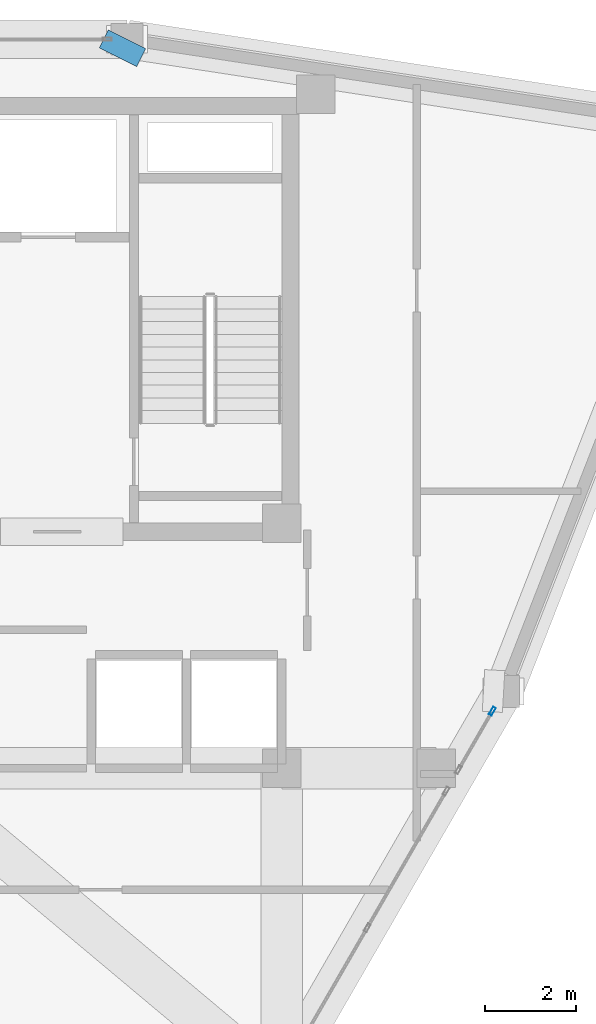
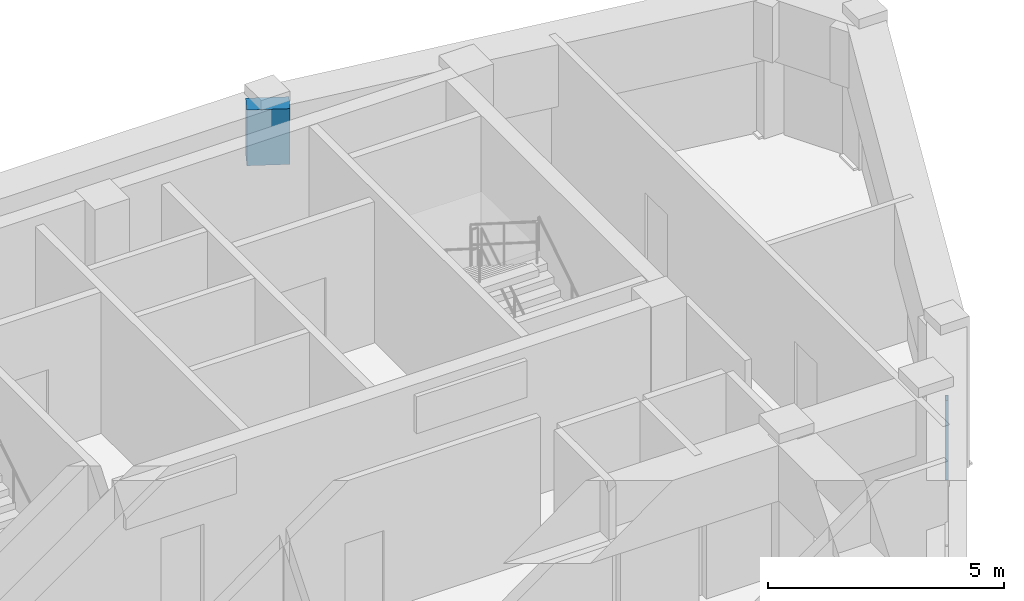
# One storey, part 7 of 13: 1 beam, 1 member, 1 element without a shape of its own.
"""IFC4 building model written with IfcOpenShell, lengths in metres."""

import ifcopenshell
import ifcopenshell.guid

model = None  # the IFC model being written
_history = None  # IfcOwnerHistory: only IFC2X3 demands one
_inside = {}  # id of a spatial element -> (the spatial element, [elements in it])
_under = {}  # id of a project, library or spatial element -> (it, [spatial elements below it])
_declared = {}  # id of a project -> (the project, [libraries it declares])
_typed = {}  # id of a type object -> (the type object, [elements of that type])
_made_of = {}  # id of a material, layer set ... -> (it, [elements and type objects made of it])


def new_model(schema):
    """Start an empty IFC model of exactly this schema.

    Asked for "IFC4X3", IfcOpenShell would pick the latest addendum, in which some entities
    have other attributes; the version numbers below select the first issue.
    IFC2X3 requires an IfcOwnerHistory on every rooted entity: one is made here for all.
    """
    global model, _history
    if schema == "IFC4X3":
        model = ifcopenshell.file(schema_version=(4, 3, 0, 0))
    else:
        model = ifcopenshell.file(schema=schema)
    _inside.clear()
    _under.clear()
    _declared.clear()
    _typed.clear()
    _made_of.clear()
    _history = None
    if model.schema == "IFC2X3":
        org = make("IfcOrganization", Name="unknown")
        user = make(
            "IfcPersonAndOrganization",
            ThePerson=make("IfcPerson", FamilyName="unknown"),
            TheOrganization=org,
        )
        app = make(
            "IfcApplication",
            ApplicationDeveloper=org,
            Version="unknown",
            ApplicationFullName="unknown",
            ApplicationIdentifier="unknown",
        )
        _history = make(
            "IfcOwnerHistory",
            OwningUser=user,
            OwningApplication=app,
            ChangeAction="ADDED",
            CreationDate=0,
        )
    return model


def make(cls, **values):
    """One entity of the class cls with the attributes given. An attribute that is None is left unset."""
    return model.create_entity(
        cls, **{name: value for name, value in values.items() if value is not None}
    )


def rooted(cls, **values):
    """An entity with a GlobalId (a new one), such as an element, a storey or a relation."""
    return make(cls, GlobalId=ifcopenshell.guid.new(), OwnerHistory=_history, **values)


def si_unit(unit_type, name, prefix=None):
    """IfcSIUnit, for example si_unit("LENGTHUNIT", "METRE", prefix="MILLI")."""
    return make("IfcSIUnit", UnitType=unit_type, Prefix=prefix, Name=name)


def derived_unit(unit_type, elements):
    """IfcDerivedUnit: a product of units, each with its exponent."""
    return make(
        "IfcDerivedUnit",
        Elements=[
            make("IfcDerivedUnitElement", Unit=unit, Exponent=power)
            for unit, power in elements
        ],
        UnitType=unit_type,
    )


def assignment(units):
    """IfcUnitAssignment: the units of a project."""
    return None if units is None else make("IfcUnitAssignment", Units=units)


def point(xyz):
    """IfcCartesianPoint."""
    return None if xyz is None else make("IfcCartesianPoint", Coordinates=xyz)


def direction(xyz):
    """IfcDirection."""
    return None if xyz is None else make("IfcDirection", DirectionRatios=xyz)


def frame(location, z_axis=None, x_axis=None):
    """IfcAxis2Placement3D, a coordinate frame: its origin and axes. An axis left out is left unset."""
    return make(
        "IfcAxis2Placement3D",
        Location=point(location),
        Axis=direction(z_axis),
        RefDirection=direction(x_axis),
    )


def frame_2d(location, x_axis=None):
    """IfcAxis2Placement2D, a coordinate frame in the plane: its origin and x axis."""
    return make(
        "IfcAxis2Placement2D", Location=point(location), RefDirection=direction(x_axis)
    )


def origin():
    """The frame at (0, 0, 0) with its axes left unset."""
    return frame((0.0, 0.0, 0.0))


def origin_2d():
    """The frame at (0, 0) in the plane with its x axis left unset."""
    return frame_2d((0.0, 0.0))


def place(relative_to, where):
    """IfcLocalPlacement: puts the frame where relative to a parent placement (None: the world)."""
    return make(
        "IfcLocalPlacement", PlacementRelTo=relative_to, RelativePlacement=where
    )


def context(
    kind, dimensions, precision=None, world=None, true_north=None, identifier=None
):
    """IfcGeometricRepresentationContext, for example the 3D "Model" context."""
    return make(
        "IfcGeometricRepresentationContext",
        ContextIdentifier=identifier,
        ContextType=kind,
        CoordinateSpaceDimension=dimensions,
        Precision=precision,
        WorldCoordinateSystem=world,
        TrueNorth=true_north,
    )


def subcontext(parent, identifier, kind, view, scale=None):
    """IfcGeometricRepresentationSubContext, for example "Body" below "Model"."""
    return make(
        "IfcGeometricRepresentationSubContext",
        ContextIdentifier=identifier,
        ContextType=kind,
        ParentContext=parent,
        TargetScale=scale,
        TargetView=view,
    )


def project(units=None, contexts=None):
    """IfcProject with its units and contexts."""
    return rooted(
        "IfcProject",
        Name="project",
        RepresentationContexts=contexts,
        UnitsInContext=assignment(units),
    )


def spatial(cls, under=None, at=None, **own):
    """A site, building, storey or space (cls), placed at a placement, below another one or the project."""
    s = rooted(cls, ObjectPlacement=at, **own)
    if under is not None:
        _under.setdefault(under.id(), (under, []))[1].append(s)
    return s


def profile(cls, at=None, kind="AREA", **sizes):
    """A parametric profile (cls). Its sizes go by their IFC names, for example OverallWidth=200.0."""
    return make(cls, ProfileType=kind, Position=at, **sizes)


def rectangle(**sizes):
    """IfcRectangleProfileDef."""
    return profile("IfcRectangleProfileDef", **sizes)


def hollow_rectangle(**sizes):
    """IfcRectangleHollowProfileDef."""
    return profile("IfcRectangleHollowProfileDef", **sizes)


def extrude(swept, where, along, depth):
    """IfcExtrudedAreaSolid: the profile swept, set in the frame where, extruded along a direction by depth."""
    return make(
        "IfcExtrudedAreaSolid",
        SweptArea=swept,
        Position=where,
        ExtrudedDirection=direction(along),
        Depth=depth,
    )


def shape(context_of_items, identifier, shape_type, items):
    """IfcShapeRepresentation: the items that make up one representation, for example the "Body"."""
    return make(
        "IfcShapeRepresentation",
        ContextOfItems=context_of_items,
        RepresentationIdentifier=identifier,
        RepresentationType=shape_type,
        Items=items,
    )


def source(mapping_origin, context_of_items, identifier, shape_type, items):
    """IfcRepresentationMap: a shape defined once, which mapped items show again and again."""
    return make(
        "IfcRepresentationMap",
        MappingOrigin=mapping_origin,
        MappedRepresentation=shape(context_of_items, identifier, shape_type, items),
    )


def transform(
    local_origin,
    x_axis=None,
    y_axis=None,
    z_axis=None,
    scale=None,
    scale2=None,
    scale3=None,
    uniform=True,
):
    """IfcCartesianTransformationOperator3D, or its non-uniform kind. x_axis, y_axis, z_axis: its Axis1, 2, 3."""
    if uniform:
        return make(
            "IfcCartesianTransformationOperator3D",
            Axis1=direction(x_axis),
            Axis2=direction(y_axis),
            LocalOrigin=point(local_origin),
            Scale=scale,
            Axis3=direction(z_axis),
        )
    return make(
        "IfcCartesianTransformationOperator3DnonUniform",
        Axis1=direction(x_axis),
        Axis2=direction(y_axis),
        LocalOrigin=point(local_origin),
        Scale=scale,
        Axis3=direction(z_axis),
        Scale2=scale2,
        Scale3=scale3,
    )


def mapped(mapping_source, mapping_target):
    """IfcMappedItem: shows the shape of a source again, moved by a transform."""
    return make(
        "IfcMappedItem", MappingSource=mapping_source, MappingTarget=mapping_target
    )


def material(Name=None, Category=None):
    """IfcMaterial."""
    return make("IfcMaterial", Name=Name, Category=Category)


def layer(
    of_material, thickness, ventilated=None, Name=None, Category=None, Priority=None
):
    """IfcMaterialLayer: one layer of a wall or slab, of a material (None: an air gap)."""
    return make(
        "IfcMaterialLayer",
        Material=of_material,
        LayerThickness=thickness,
        IsVentilated=ventilated,
        Name=Name,
        Category=Category,
        Priority=Priority,
    )


def layer_set(layers, Name=None):
    """IfcMaterialLayerSet."""
    return make("IfcMaterialLayerSet", MaterialLayers=layers, LayerSetName=Name)


def material_profile(
    of_material, cross_section, Name=None, Category=None, Priority=None
):
    """IfcMaterialProfile: a cross section and its material."""
    return make(
        "IfcMaterialProfile",
        Name=Name,
        Material=of_material,
        Profile=cross_section,
        Priority=Priority,
        Category=Category,
    )


def profile_set(profiles, Name=None, composite=None):
    """IfcMaterialProfileSet."""
    return make(
        "IfcMaterialProfileSet",
        Name=Name,
        MaterialProfiles=profiles,
        CompositeProfile=composite,
    )


def made_of(thing, what):
    """Note that an element or type object is made of a material, layer set ...; save() writes the relation."""
    if what is not None:
        _made_of.setdefault(what.id(), (what, []))[1].append(thing)
    return thing


def type_object(cls, material=None, **own):
    """A type object (cls), such as IfcWallType, which elements share."""
    return made_of(rooted(cls, **own), material)


def element(
    cls,
    number,
    at=None,
    inside=None,
    cuts=None,
    type_object=None,
    material=None,
    context=None,
    identifier="Body",
    shape_type=None,
    held_by="IfcProductDefinitionShape",
    body=None,
    shapes=None,
    **own,
):
    """One element of the class cls, such as IfcWall. Its Tag is "e" and its number.

    at: its placement. inside: the storey or other place that contains it. cuts: it is an
    opening in that element (IfcRelVoidsElement). A single representation is given by context,
    identifier, shape_type and body (its items); several are given by shapes. held_by: the class
    of the entity that holds the representations. save() writes the other relations.
    """
    e = rooted(cls, Tag="e%d" % number, ObjectPlacement=at, **own)
    if body is not None:
        shapes = [shape(context, identifier, shape_type, body)]
    if shapes is not None:
        e.Representation = make(held_by, Representations=shapes)
    if inside is not None:
        _inside.setdefault(inside.id(), (inside, []))[1].append(e)
    if cuts is not None:
        rooted(
            "IfcRelVoidsElement", RelatingBuildingElement=cuts, RelatedOpeningElement=e
        )
    if type_object is not None:
        _typed.setdefault(type_object.id(), (type_object, []))[1].append(e)
    return made_of(e, material)


def aggregate(whole, parts):
    """IfcRelAggregates: a whole, such as a stair, and the parts it consists of."""
    return rooted("IfcRelAggregates", RelatingObject=whole, RelatedObjects=parts)


def save(model, path):
    """Write the relations noted so far, then the file.

    IfcRelAggregates (storeys below a building ...), IfcRelContainedInSpatialStructure (elements
    in a storey), IfcRelDefinesByType, IfcRelAssociatesMaterial and IfcRelDeclares: one each for
    every whole, place, type object, material and project.
    """
    for whole, parts in _under.values():
        aggregate(whole, parts)
    for where, things in _inside.values():
        rooted(
            "IfcRelContainedInSpatialStructure",
            RelatedElements=things,
            RelatingStructure=where,
        )
    for kind, things in _typed.values():
        rooted("IfcRelDefinesByType", RelatedObjects=things, RelatingType=kind)
    for what, things in _made_of.values():
        rooted("IfcRelAssociatesMaterial", RelatedObjects=things, RelatingMaterial=what)
    for by, libraries in _declared.values():
        rooted("IfcRelDeclares", RelatingContext=by, RelatedDefinitions=libraries)
    model.write(path)


model = new_model("IFC4")

# Units and contexts
model_context = context("Model", 3, precision=1e-05, world=origin(), true_north=direction((0.0, 1.0)))
body_context = subcontext(model_context, "Body", "Model", "MODEL_VIEW")
ifc_project = project(units=[si_unit("LENGTHUNIT", "METRE"), si_unit("AREAUNIT", "SQUARE_METRE"), si_unit("VOLUMEUNIT", "CUBIC_METRE"), si_unit("PLANEANGLEUNIT", "RADIAN"), si_unit("MASSUNIT", "GRAM", prefix="KILO"), derived_unit("THERMALTRANSMITTANCEUNIT", [(si_unit("POWERUNIT", "WATT"), 1), (si_unit("LENGTHUNIT", "METRE"), -2), (si_unit("THERMODYNAMICTEMPERATUREUNIT", "KELVIN"), -1)])], contexts=[model_context])

# Site, building, storey
site_placement = place(None, origin())
site = spatial("IfcSite", under=ifc_project, at=site_placement, CompositionType="ELEMENT")
building_placement = place(site_placement, origin())
building = spatial("IfcBuilding", under=site, at=building_placement, Name="Korsvarv Bourse and Concert Hall", CompositionType="ELEMENT")
storey_placement = place(building_placement, frame((0.0, 0.0, 292.199951171875)))
storey = spatial("IfcBuildingStorey", under=building, at=storey_placement, Name="L76", CompositionType="ELEMENT", Elevation=292.199951171875)

# Beam
ifc_material_1 = material(Name="Concrete C50/60", Category="concrete")
ifc_material_profile_1 = material_profile(ifc_material_1, rectangle(XDim=0.919921875, YDim=1.43994140625, at=origin_2d()), Name="RC-BM 920x1440")
ifc_profile_set_1 = profile_set([ifc_material_profile_1], Name="Concrete C50/60")
beam_type = type_object("IfcBeamType", Name="BM-TR-144", PredefinedType="BEAM", material=ifc_profile_set_1)
shared_shape_1 = source(origin(), body_context, "Body", "SweptSolid", [
    extrude(rectangle(XDim=0.919921875, YDim=1.43994140625, at=origin_2d()), origin(), (0.0, 0.0, 1.0), 0.444091796875),
])
beam_placement = place(storey_placement, frame((40.989013671875, 48.4619140625, 2.929931640625), z_axis=(-0.448532321776, -0.893766611774, 0.0), x_axis=(0.893766611774, -0.448532321776, 0.0)))
element("IfcBeam", 1, at=beam_placement, inside=storey, type_object=beam_type, Name="L76 beam B-TR4", PredefinedType="BEAM", context=body_context, shape_type="MappedRepresentation", body=[
    mapped(shared_shape_1, transform((0.0, 0.0, 0.0), scale=1.0)),
])

# Curtain wall, member
ifc_material_2 = material(Name="Anodised aluminium and triple low-E glazing", Category="glass")
ifc_layer = layer(ifc_material_2, 0.22998046875)
ifc_layer_set = layer_set([ifc_layer], Name="Anodised aluminium and triple low-E glazing")
curtain_wall_type = type_object("IfcCurtainWallType", Name="CW-SYS-6", PredefinedType="NOTDEFINED", material=ifc_layer_set)
curtain_wall_placement = place(storey_placement, origin())
curtain_wall = element("IfcCurtainWall", 2, at=curtain_wall_placement, inside=storey, type_object=curtain_wall_type, Name="L76 CW6 curtain wall CW-L76-CRN11-2", PredefinedType="NOTDEFINED")
ifc_material_3 = material(Name="Extruded aluminium EN AW-6063 T66", Category="aluminium")
ifc_material_profile_2 = material_profile(ifc_material_3, hollow_rectangle(XDim=0.070068359375, YDim=0.18994140625, WallThickness=0.0048828125, at=origin_2d()), Name="ALU-M 70x190")
ifc_profile_set_2 = profile_set([ifc_material_profile_2], Name="Extruded aluminium EN AW-6063 T66")
member_type = type_object("IfcMemberType", Name="CWM-190", PredefinedType="MULLION", material=ifc_profile_set_2)
shared_shape_2 = source(origin(), body_context, "Body", "SweptSolid", [
    extrude(hollow_rectangle(XDim=0.070068359375, YDim=0.18994140625, WallThickness=0.0048828125, at=origin_2d()), origin(), (0.0, 0.0, 1.0), 2.050048828125),
])
member_placement = place(storey_placement, frame((49.038330078125, 33.659423828125, 0.0), z_axis=(0.0, 0.0, 1.0), x_axis=(-0.866016043039, 0.500016212936, 0.0)))
member = element("IfcMember", 3, at=member_placement, type_object=member_type, Name="CW6 mullion 2", PredefinedType="MULLION", context=body_context, shape_type="MappedRepresentation", body=[
    mapped(shared_shape_2, transform((0.0, 0.0, 0.0), scale=1.0)),
])
aggregate(curtain_wall, [member])

save(model, "model.ifc")
